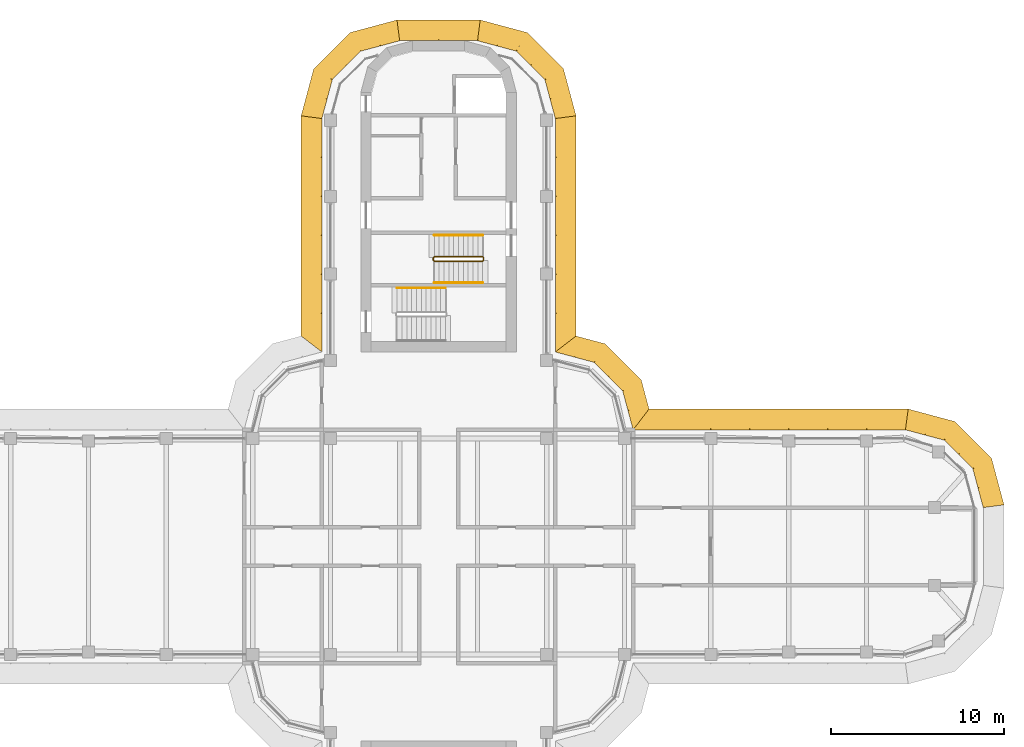
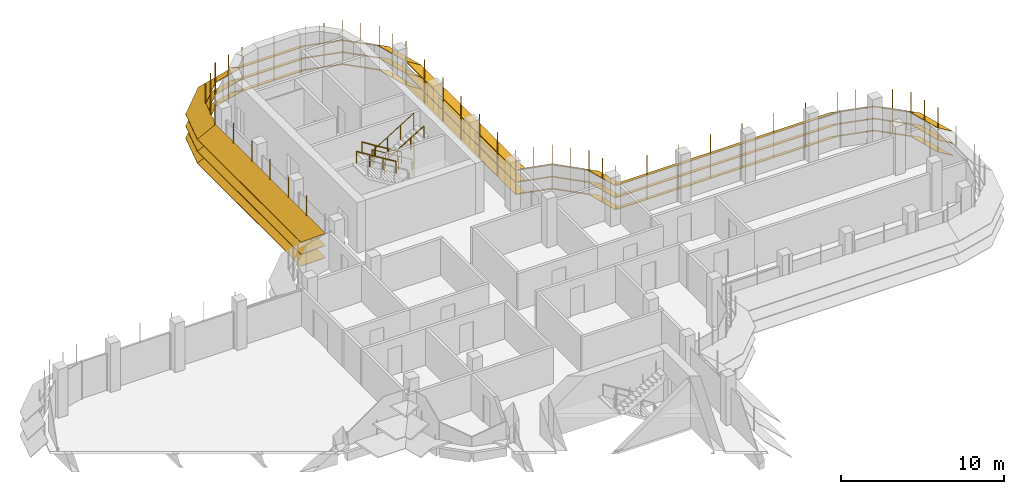
# One storey, part 18 of 19: 8 shading devices, 4 railings.
"""IFC4 building model written with IfcOpenShell, lengths in metres."""

from ifc_helpers import new_model, si_unit, direction, frame, origin, origin_2d, place, context, subcontext, project, spatial, polyline, circle, outline, extrude, faceted_brep, source, transform, mapped, material, type_object, element, save


model = new_model("IFC4")

# Units and contexts
model_context = context("Model", 3, precision=1e-05, world=origin(), true_north=direction((0.0, 1.0)))
body_context = subcontext(model_context, "Body", "Model", "MODEL_VIEW")
ifc_project = project(units=[si_unit("LENGTHUNIT", "METRE"), si_unit("AREAUNIT", "SQUARE_METRE"), si_unit("VOLUMEUNIT", "CUBIC_METRE"), si_unit("PLANEANGLEUNIT", "RADIAN"), si_unit("MASSUNIT", "GRAM", prefix="KILO")], contexts=[model_context])

# Site, building, storey
site_placement = place(None, origin())
site = spatial("IfcSite", under=ifc_project, at=site_placement, CompositionType="ELEMENT")
building_placement = place(site_placement, origin())
building = spatial("IfcBuilding", under=site, at=building_placement, Name="Zarbagh Exchange Tower", CompositionType="ELEMENT")
storey_placement = place(building_placement, frame((0.0, 0.0, 237.199951171875)))
storey = spatial("IfcBuildingStorey", under=building, at=storey_placement, Name="L58", CompositionType="ELEMENT", Elevation=237.199951171875)

# Railings
ifc_material_1 = material(Name="Stainless steel", Category="steel")
railing_type_1 = type_object("IfcRailingType", Name="Stair guard 1100 mm", PredefinedType="GUARDRAIL", material=ifc_material_1)
railing_1_placement = place(storey_placement, frame((2.550048828125, 16.75, 0.1728515625)))
element("IfcRailing", 1, at=railing_1_placement, inside=storey, type_object=railing_type_1, Name="ST1 stair guard 1", PredefinedType="GUARDRAIL", context=body_context, shape_type="SweptSolid", body=[
    extrude(circle(Radius=0.02392578125, at=origin_2d()), frame((0.0, 0.0, 1.076171875), z_axis=(-0.851089632645, 0.0, 0.525020415988), x_axis=(0.0, -1.0, 0.0)), (0.0, 0.0, 1.0), 3.2900390625),
    extrude(circle(Radius=0.02392578125, at=origin_2d()), frame((-2.800048828125, 0.0, 2.80322265625), z_axis=(-0.707106781187, -0.707106781187, 0.0), x_axis=(0.707106781187, -0.707106781187, 0.0)), (0.0, 0.0, 1.0), 0.07080078125),
    extrude(circle(Radius=0.02392578125, at=origin_2d()), frame((-2.85009765625, -0.050048828125, 2.80322265625), z_axis=(0.0, -1.0, 0.0), x_axis=(1.0, 0.0, 0.0)), (0.0, 0.0, 1.0), 0.14990234375),
    extrude(circle(Radius=0.02392578125, at=origin_2d()), frame((-2.85009765625, -0.199951171875, 2.80322265625), z_axis=(0.268277960024, -0.268277960024, 0.925231793839), x_axis=(0.707106781187, 0.707106781187, 0.0)), (0.0, 0.0, 1.0), 0.1865234375),
    extrude(circle(Radius=0.02392578125, at=origin_2d()), frame((-2.800048828125, -0.25, 2.97607421875), z_axis=(0.851089632645, 0.0, 0.525020415988), x_axis=(0.0, 1.0, 0.0)), (0.0, 0.0, 1.0), 3.2900390625),
    extrude(circle(Radius=0.02392578125, at=origin_2d()), frame((0.0, -0.25, 4.703125), z_axis=(0.013168290981, 0.013168290981, -0.999826581076), x_axis=(-0.707106781187, 0.707106781187, 0.0)), (0.0, 0.0, 1.0), 3.80078125),
    extrude(circle(Radius=0.02392578125, at=origin_2d()), frame((0.050048828125, -0.199951171875, 0.9033203125), z_axis=(0.0, 1.0, 0.0), x_axis=(-1.0, 0.0, 0.0)), (0.0, 0.0, 1.0), 0.14990234375),
    extrude(circle(Radius=0.02099609375, at=origin_2d()), origin(), (0.0, 0.0, 1.0), 1.052001953125),
    extrude(circle(Radius=0.02099609375, at=origin_2d()), frame((-0.933349609375, 0.0, 0.57568359375)), (0.0, 0.0, 1.0), 1.052001953125),
    extrude(circle(Radius=0.02099609375, at=origin_2d()), frame((-1.86669921875, 0.0, 1.151611328125)), (0.0, 0.0, 1.0), 1.052001953125),
    extrude(circle(Radius=0.02099609375, at=origin_2d()), frame((-2.800048828125, 0.0, 1.727294921875)), (0.0, 0.0, 1.0), 1.052001953125),
    extrude(circle(Radius=0.02099609375, at=origin_2d()), frame((-2.85009765625, -0.050048828125, 1.727294921875)), (0.0, 0.0, 1.0), 1.052001953125),
    extrude(circle(Radius=0.02099609375, at=origin_2d()), frame((-2.85009765625, -0.199951171875, 1.727294921875)), (0.0, 0.0, 1.0), 1.052001953125),
    extrude(circle(Radius=0.02099609375, at=origin_2d()), frame((-2.800048828125, -0.25, 1.89990234375)), (0.0, 0.0, 1.0), 1.052001953125),
    extrude(circle(Radius=0.02099609375, at=origin_2d()), frame((-1.86669921875, -0.25, 2.4755859375)), (0.0, 0.0, 1.0), 1.052001953125),
    extrude(circle(Radius=0.02099609375, at=origin_2d()), frame((-0.933349609375, -0.25, 3.051513671875)), (0.0, 0.0, 1.0), 1.052001953125),
    extrude(circle(Radius=0.02099609375, at=origin_2d()), frame((0.0, -0.25, 3.627197265625)), (0.0, 0.0, 1.0), 1.052001953125),
    extrude(circle(Radius=0.02099609375, at=origin_2d()), frame((0.012451171875, -0.237548828125, 2.67724609375)), (0.0, 0.0, 1.0), 1.052001953125),
    extrude(circle(Radius=0.02099609375, at=origin_2d()), frame((0.02490234375, -0.22509765625, 1.72705078125)), (0.0, 0.0, 1.0), 1.052001953125),
    extrude(circle(Radius=0.02099609375, at=origin_2d()), frame((0.03759765625, -0.21240234375, 0.777099609375)), (0.0, 0.0, 1.0), 1.052001953125),
    extrude(circle(Radius=0.02099609375, at=origin_2d()), frame((0.050048828125, -0.199951171875, -0.1728515625)), (0.0, 0.0, 1.0), 1.052001953125),
    extrude(circle(Radius=0.02099609375, at=origin_2d()), frame((0.050048828125, -0.050048828125, -0.1728515625)), (0.0, 0.0, 1.0), 1.052001953125),
])
railing_type_2 = type_object("IfcRailingType", Name="Stair handrail 900 mm", PredefinedType="HANDRAIL", material=ifc_material_1)
railing_2_placement = place(storey_placement, frame((2.550048828125, 18.0, 0.1728515625)))
element("IfcRailing", 2, at=railing_2_placement, inside=storey, type_object=railing_type_2, Name="ST1 stair handrail 1", PredefinedType="HANDRAIL", context=body_context, shape_type="SweptSolid", body=[
    extrude(circle(Radius=0.02392578125, at=origin_2d()), frame((0.0, 0.0, 0.8759765625), z_axis=(-0.851089632645, 0.0, 0.525020415988), x_axis=(0.0, -1.0, 0.0)), (0.0, 0.0, 1.0), 3.2900390625),
    extrude(circle(Radius=0.02099609375, at=origin_2d()), origin(), (0.0, 0.0, 1.0), 0.851806640625),
    extrude(circle(Radius=0.02099609375, at=origin_2d()), frame((-0.933349609375, 0.0, 0.57568359375)), (0.0, 0.0, 1.0), 0.851806640625),
    extrude(circle(Radius=0.02099609375, at=origin_2d()), frame((-1.86669921875, 0.0, 1.151611328125)), (0.0, 0.0, 1.0), 0.851806640625),
    extrude(circle(Radius=0.02099609375, at=origin_2d()), frame((-2.800048828125, 0.0, 1.727294921875)), (0.0, 0.0, 1.0), 0.851806640625),
])
railing_3_placement = place(storey_placement, frame((-0.25, 15.25, 2.07275390625)))
element("IfcRailing", 3, at=railing_3_placement, inside=storey, type_object=railing_type_2, Name="ST1 stair handrail 2", PredefinedType="HANDRAIL", context=body_context, shape_type="SweptSolid", body=[
    extrude(circle(Radius=0.02392578125, at=origin_2d()), frame((0.0, 0.0, 0.8759765625), z_axis=(0.851089632645, 0.0, 0.525020415988), x_axis=(0.0, 1.0, 0.0)), (0.0, 0.0, 1.0), 3.2900390625),
    extrude(circle(Radius=0.02099609375, at=origin_2d()), origin(), (0.0, 0.0, 1.0), 0.851806640625),
    extrude(circle(Radius=0.02099609375, at=origin_2d()), frame((0.933349609375, 0.0, 0.57568359375)), (0.0, 0.0, 1.0), 0.851806640625),
    extrude(circle(Radius=0.02099609375, at=origin_2d()), frame((1.86669921875, 0.0, 1.151611328125)), (0.0, 0.0, 1.0), 0.851806640625),
    extrude(circle(Radius=0.02099609375, at=origin_2d()), frame((2.800048828125, 0.0, 1.727294921875)), (0.0, 0.0, 1.0), 0.851806640625),
])
railing_4_placement = place(storey_placement, frame((0.39990234375, 14.949951171875, 2.07275390625)))
element("IfcRailing", 4, at=railing_4_placement, inside=storey, type_object=railing_type_2, Name="ST2 stair handrail 2", PredefinedType="HANDRAIL", context=body_context, shape_type="SweptSolid", body=[
    extrude(circle(Radius=0.02392578125, at=origin_2d()), frame((0.0, 0.0, 0.8759765625), z_axis=(-0.851069175582, 0.0, 0.525053576669), x_axis=(0.0, -1.0, 0.0)), (0.0, 0.0, 1.0), 3.289794921875),
    extrude(circle(Radius=0.02099609375, at=origin_2d()), origin(), (0.0, 0.0, 1.0), 0.851806640625),
    extrude(circle(Radius=0.02099609375, at=origin_2d()), frame((-0.933349609375, 0.0, 0.57568359375)), (0.0, 0.0, 1.0), 0.851806640625),
    extrude(circle(Radius=0.02099609375, at=origin_2d()), frame((-1.866455078125, 0.0, 1.151611328125)), (0.0, 0.0, 1.0), 0.851806640625),
    extrude(circle(Radius=0.02099609375, at=origin_2d()), frame((-2.7998046875, 0.0, 1.727294921875)), (0.0, 0.0, 1.0), 0.851806640625),
])

# Shading devices
ifc_material_2 = material(Name="Anodised aluminium blades and brackets", Category="aluminium")
shading_device_type = type_object("IfcShadingDeviceType", Name="SUNSHADE louvre band, 33.75 degree blades", PredefinedType="JALOUSIE", material=ifc_material_2)
shared_shape_1 = source(origin(), body_context, "Body", "Brep", [
    faceted_brep([(0.0, 0.0, 0.0), (0.0, 0.0, -0.048095703125), (-0.157958984375, -1.199951171875, -0.849853515625), (-0.157958984375, -1.199951171875, -0.8017578125), (2.65087890625, -1.199951171875, -0.8017578125), (2.65087890625, -1.199951171875, -0.849853515625), (2.329345703125, 0.0, -0.048095703125), (2.329345703125, 0.0, 0.0)], [[[0, 1, 2, 3]], [[4, 5, 6, 7]], [[0, 7, 6, 1]], [[1, 6, 5, 2]], [[2, 5, 4, 3]], [[3, 4, 7, 0]]]),
])
shared_shape_2 = source(origin(), body_context, "Body", "Brep", [
    faceted_brep([(0.0, 0.0, 0.0), (0.0, 0.0, -0.048095703125), (-0.321533203125, -1.199951171875, -0.849853515625), (-0.321533203125, -1.199951171875, -0.8017578125), (2.65087890625, -1.199951171875, -0.8017578125), (2.65087890625, -1.199951171875, -0.849853515625), (2.329345703125, 0.0, -0.048095703125), (2.329345703125, 0.0, 0.0)], [[[0, 1, 2, 3]], [[4, 5, 6, 7]], [[0, 7, 6, 1]], [[1, 6, 5, 2]], [[2, 5, 4, 3]], [[3, 4, 7, 0]]]),
])
shared_shape_3 = source(origin(), body_context, "Body", "Brep", [
    faceted_brep([(0.0, 0.0, 0.0), (0.0, 0.0, -0.048095703125), (-0.321533203125, -1.199951171875, -0.849853515625), (-0.321533203125, -1.199951171875, -0.8017578125), (2.4873046875, -1.199951171875, -0.8017578125), (2.4873046875, -1.199951171875, -0.849853515625), (2.329345703125, 0.0, -0.048095703125), (2.329345703125, 0.0, 0.0)], [[[0, 1, 2, 3]], [[4, 5, 6, 7]], [[0, 7, 6, 1]], [[1, 6, 5, 2]], [[2, 5, 4, 3]], [[3, 4, 7, 0]]]),
])
shared_shape_4 = source(origin(), body_context, "Body", "SweptSolid", [
    extrude(outline(polyline([(0.0, -0.012451171875), (0.06005859375, -0.012451171875), (0.06005859375, 0.012451171875), (0.0, 0.012451171875), (0.0, -0.012451171875)])), origin(), (0.0, 0.0, 1.0), 3.358154296875),
])
placement = place(storey_placement, origin())
element("IfcShadingDevice", 5, at=placement, inside=storey, type_object=shading_device_type, Name="SS33 sunshade band", PredefinedType="JALOUSIE", context=body_context, shape_type="MappedRepresentation", body=[
    mapped(shared_shape_1, transform((31.5, 2.25, 2.300048828125), x_axis=(-0.258824779902, 0.965924289636, 0.0), y_axis=(-0.965924289636, -0.258824779902, 0.0), z_axis=(0.0, 0.0, 1.0))),
    mapped(shared_shape_1, transform((31.5, 2.25, 1.400146484375), x_axis=(-0.258824779902, 0.965924289636, 0.0), y_axis=(-0.965924289636, -0.258824779902, 0.0), z_axis=(0.0, 0.0, 1.0))),
    mapped(shared_shape_1, transform((31.5, 2.25, 0.5), x_axis=(-0.258824779902, 0.965924289636, 0.0), y_axis=(-0.965924289636, -0.258824779902, 0.0), z_axis=(0.0, 0.0, 1.0))),
    mapped(shared_shape_2, transform((30.897216796875, 4.5, 2.300048828125), x_axis=(-0.707106781187, 0.707106781187, 0.0), y_axis=(-0.707106781187, -0.707106781187, 0.0), z_axis=(0.0, 0.0, 1.0))),
    mapped(shared_shape_2, transform((30.897216796875, 4.5, 1.400146484375), x_axis=(-0.707106781187, 0.707106781187, 0.0), y_axis=(-0.707106781187, -0.707106781187, 0.0), z_axis=(0.0, 0.0, 1.0))),
    mapped(shared_shape_2, transform((30.897216796875, 4.5, 0.5), x_axis=(-0.707106781187, 0.707106781187, 0.0), y_axis=(-0.707106781187, -0.707106781187, 0.0), z_axis=(0.0, 0.0, 1.0))),
    mapped(shared_shape_3, transform((29.25, 6.147216796875, 2.300048828125), x_axis=(-0.965924289636, 0.258824779902, 0.0), y_axis=(-0.258824779902, -0.965924289636, 0.0), z_axis=(0.0, 0.0, 1.0))),
    mapped(shared_shape_3, transform((29.25, 6.147216796875, 1.400146484375), x_axis=(-0.965924289636, 0.258824779902, 0.0), y_axis=(-0.258824779902, -0.965924289636, 0.0), z_axis=(0.0, 0.0, 1.0))),
    mapped(shared_shape_3, transform((29.25, 6.147216796875, 0.5), x_axis=(-0.965924289636, 0.258824779902, 0.0), y_axis=(-0.258824779902, -0.965924289636, 0.0), z_axis=(0.0, 0.0, 1.0))),
    mapped(shared_shape_4, transform((31.5, 2.25, 0.421875), x_axis=(0.991444457092, 0.130529263012, 0.0), y_axis=(-0.130529263012, 0.991444457092, 0.0), z_axis=(0.0, 0.0, 1.0))),
    mapped(shared_shape_4, transform((31.198486328125, 3.375, 0.421875), x_axis=(0.96592421511, 0.258825058029, 0.0), y_axis=(-0.258825058029, 0.96592421511, 0.0), z_axis=(0.0, 0.0, 1.0))),
    mapped(shared_shape_4, transform((30.897216796875, 4.5, 0.421875), x_axis=(0.866023812018, 0.50000275701, 0.0), y_axis=(-0.50000275701, 0.866023812018, 0.0), z_axis=(0.0, 0.0, 1.0))),
    mapped(shared_shape_4, transform((30.073486328125, 5.323486328125, 0.421875), x_axis=(0.707106781187, 0.707106781187, 0.0), y_axis=(-0.707106781187, 0.707106781187, 0.0), z_axis=(0.0, 0.0, 1.0))),
    mapped(shared_shape_4, transform((29.25, 6.147216796875, 0.421875), x_axis=(0.50000275701, 0.866023812018, 0.0), y_axis=(-0.866023812018, 0.50000275701, 0.0), z_axis=(0.0, 0.0, 1.0))),
    mapped(shared_shape_4, transform((28.125, 6.448486328125, 0.421875), x_axis=(0.258825058029, 0.96592421511, 0.0), y_axis=(-0.96592421511, 0.258825058029, 0.0), z_axis=(0.0, 0.0, 1.0))),
])
element("IfcShadingDevice", 6, at=placement, inside=storey, type_object=shading_device_type, Name="SS46 sunshade band", PredefinedType="JALOUSIE", context=body_context, shape_type="MappedRepresentation", body=[
    mapped(shared_shape_1, transform((6.75, 24.75, 2.300048828125), x_axis=(-0.258824779902, 0.965924289636, 0.0), y_axis=(-0.965924289636, -0.258824779902, 0.0), z_axis=(0.0, 0.0, 1.0))),
    mapped(shared_shape_1, transform((6.75, 24.75, 1.400146484375), x_axis=(-0.258824779902, 0.965924289636, 0.0), y_axis=(-0.965924289636, -0.258824779902, 0.0), z_axis=(0.0, 0.0, 1.0))),
    mapped(shared_shape_1, transform((6.75, 24.75, 0.5), x_axis=(-0.258824779902, 0.965924289636, 0.0), y_axis=(-0.965924289636, -0.258824779902, 0.0), z_axis=(0.0, 0.0, 1.0))),
    mapped(shared_shape_2, transform((6.147216796875, 27.0, 2.300048828125), x_axis=(-0.707106781187, 0.707106781187, 0.0), y_axis=(-0.707106781187, -0.707106781187, 0.0), z_axis=(0.0, 0.0, 1.0))),
    mapped(shared_shape_2, transform((6.147216796875, 27.0, 1.400146484375), x_axis=(-0.707106781187, 0.707106781187, 0.0), y_axis=(-0.707106781187, -0.707106781187, 0.0), z_axis=(0.0, 0.0, 1.0))),
    mapped(shared_shape_2, transform((6.147216796875, 27.0, 0.5), x_axis=(-0.707106781187, 0.707106781187, 0.0), y_axis=(-0.707106781187, -0.707106781187, 0.0), z_axis=(0.0, 0.0, 1.0))),
    mapped(shared_shape_3, transform((4.5, 28.647216796875, 2.300048828125), x_axis=(-0.965924289636, 0.258824779902, 0.0), y_axis=(-0.258824779902, -0.965924289636, 0.0), z_axis=(0.0, 0.0, 1.0))),
    mapped(shared_shape_3, transform((4.5, 28.647216796875, 1.400146484375), x_axis=(-0.965924289636, 0.258824779902, 0.0), y_axis=(-0.258824779902, -0.965924289636, 0.0), z_axis=(0.0, 0.0, 1.0))),
    mapped(shared_shape_3, transform((4.5, 28.647216796875, 0.5), x_axis=(-0.965924289636, 0.258824779902, 0.0), y_axis=(-0.258824779902, -0.965924289636, 0.0), z_axis=(0.0, 0.0, 1.0))),
    mapped(shared_shape_4, transform((6.75, 24.75, 0.421875), x_axis=(0.991444457092, 0.130529263012, 0.0), y_axis=(-0.130529263012, 0.991444457092, 0.0), z_axis=(0.0, 0.0, 1.0))),
    mapped(shared_shape_4, transform((6.448486328125, 25.875, 0.421875), x_axis=(0.96592421511, 0.258825058029, 0.0), y_axis=(-0.258825058029, 0.96592421511, 0.0), z_axis=(0.0, 0.0, 1.0))),
    mapped(shared_shape_4, transform((6.147216796875, 27.0, 0.421875), x_axis=(0.866023812018, 0.50000275701, 0.0), y_axis=(-0.50000275701, 0.866023812018, 0.0), z_axis=(0.0, 0.0, 1.0))),
    mapped(shared_shape_4, transform((5.323486328125, 27.823486328125, 0.421875), x_axis=(0.707106781187, 0.707106781187, 0.0), y_axis=(-0.707106781187, 0.707106781187, 0.0), z_axis=(0.0, 0.0, 1.0))),
    mapped(shared_shape_4, transform((4.5, 28.647216796875, 0.421875), x_axis=(0.50000275701, 0.866023812018, 0.0), y_axis=(-0.866023812018, 0.50000275701, 0.0), z_axis=(0.0, 0.0, 1.0))),
    mapped(shared_shape_4, transform((3.375, 28.948486328125, 0.421875), x_axis=(0.258825058029, 0.96592421511, 0.0), y_axis=(-0.96592421511, 0.258825058029, 0.0), z_axis=(0.0, 0.0, 1.0))),
])
element("IfcShadingDevice", 7, at=placement, inside=storey, type_object=shading_device_type, Name="SS48 sunshade band", PredefinedType="JALOUSIE", context=body_context, shape_type="MappedRepresentation", body=[
    mapped(shared_shape_1, transform((-2.25, 29.25, 2.300048828125), x_axis=(-0.965924289636, -0.258824779902, 0.0), y_axis=(0.258824779902, -0.965924289636, 0.0), z_axis=(0.0, 0.0, 1.0))),
    mapped(shared_shape_1, transform((-2.25, 29.25, 1.400146484375), x_axis=(-0.965924289636, -0.258824779902, 0.0), y_axis=(0.258824779902, -0.965924289636, 0.0), z_axis=(0.0, 0.0, 1.0))),
    mapped(shared_shape_1, transform((-2.25, 29.25, 0.5), x_axis=(-0.965924289636, -0.258824779902, 0.0), y_axis=(0.258824779902, -0.965924289636, 0.0), z_axis=(0.0, 0.0, 1.0))),
    mapped(shared_shape_2, transform((-4.5, 28.647216796875, 2.300048828125), x_axis=(-0.707106781187, -0.707106781187, 0.0), y_axis=(0.707106781187, -0.707106781187, 0.0), z_axis=(0.0, 0.0, 1.0))),
    mapped(shared_shape_2, transform((-4.5, 28.647216796875, 1.400146484375), x_axis=(-0.707106781187, -0.707106781187, 0.0), y_axis=(0.707106781187, -0.707106781187, 0.0), z_axis=(0.0, 0.0, 1.0))),
    mapped(shared_shape_2, transform((-4.5, 28.647216796875, 0.5), x_axis=(-0.707106781187, -0.707106781187, 0.0), y_axis=(0.707106781187, -0.707106781187, 0.0), z_axis=(0.0, 0.0, 1.0))),
    mapped(shared_shape_3, transform((-6.147216796875, 27.0, 2.300048828125), x_axis=(-0.258824779902, -0.965924289636, 0.0), y_axis=(0.965924289636, -0.258824779902, 0.0), z_axis=(0.0, 0.0, 1.0))),
    mapped(shared_shape_3, transform((-6.147216796875, 27.0, 1.400146484375), x_axis=(-0.258824779902, -0.965924289636, 0.0), y_axis=(0.965924289636, -0.258824779902, 0.0), z_axis=(0.0, 0.0, 1.0))),
    mapped(shared_shape_3, transform((-6.147216796875, 27.0, 0.5), x_axis=(-0.258824779902, -0.965924289636, 0.0), y_axis=(0.965924289636, -0.258824779902, 0.0), z_axis=(0.0, 0.0, 1.0))),
    mapped(shared_shape_4, transform((-2.25, 29.25, 0.421875), x_axis=(-0.130529263012, 0.991444457092, 0.0), y_axis=(-0.991444457092, -0.130529263012, 0.0), z_axis=(0.0, 0.0, 1.0))),
    mapped(shared_shape_4, transform((-3.375, 28.948486328125, 0.421875), x_axis=(-0.258825058029, 0.96592421511, 0.0), y_axis=(-0.96592421511, -0.258825058029, 0.0), z_axis=(0.0, 0.0, 1.0))),
    mapped(shared_shape_4, transform((-4.5, 28.647216796875, 0.421875), x_axis=(-0.50000275701, 0.866023812018, 0.0), y_axis=(-0.866023812018, -0.50000275701, 0.0), z_axis=(0.0, 0.0, 1.0))),
    mapped(shared_shape_4, transform((-5.323486328125, 27.823486328125, 0.421875), x_axis=(-0.707106781187, 0.707106781187, 0.0), y_axis=(-0.707106781187, -0.707106781187, 0.0), z_axis=(0.0, 0.0, 1.0))),
    mapped(shared_shape_4, transform((-6.147216796875, 27.0, 0.421875), x_axis=(-0.866023812018, 0.50000275701, 0.0), y_axis=(-0.50000275701, -0.866023812018, 0.0), z_axis=(0.0, 0.0, 1.0))),
    mapped(shared_shape_4, transform((-6.448486328125, 25.875, 0.421875), x_axis=(-0.96592421511, 0.258825058029, 0.0), y_axis=(-0.258825058029, -0.96592421511, 0.0), z_axis=(0.0, 0.0, 1.0))),
])
shared_shape_5 = source(origin(), body_context, "Body", "Brep", [
    faceted_brep([(0.0, 0.0, 0.0), (0.0, 0.0, -0.048095703125), (0.9208984375, -1.199951171875, -0.849853515625), (0.9208984375, -1.199951171875, -0.8017578125), (2.65087890625, -1.199951171875, -0.8017578125), (2.65087890625, -1.199951171875, -0.849853515625), (2.329345703125, 0.0, -0.048095703125), (2.329345703125, 0.0, 0.0)], [[[0, 1, 2, 3]], [[4, 5, 6, 7]], [[0, 7, 6, 1]], [[1, 6, 5, 2]], [[2, 5, 4, 3]], [[3, 4, 7, 0]]]),
])
shared_shape_6 = source(origin(), body_context, "Body", "Brep", [
    faceted_brep([(0.0, 0.0, 0.0), (0.0, 0.0, -0.048095703125), (-0.321533203125, -1.199951171875, -0.849853515625), (-0.321533203125, -1.199951171875, -0.8017578125), (1.40869140625, -1.199951171875, -0.8017578125), (1.40869140625, -1.199951171875, -0.849853515625), (2.329345703125, 0.0, -0.048095703125), (2.329345703125, 0.0, 0.0)], [[[0, 1, 2, 3]], [[4, 5, 6, 7]], [[0, 7, 6, 1]], [[1, 6, 5, 2]], [[2, 5, 4, 3]], [[3, 4, 7, 0]]]),
])
element("IfcShadingDevice", 8, at=placement, inside=storey, type_object=shading_device_type, Name="SS09 sunshade band", PredefinedType="JALOUSIE", context=body_context, shape_type="MappedRepresentation", body=[
    mapped(shared_shape_5, transform((11.25, 6.75, 2.300048828125), x_axis=(-0.258824779902, 0.965924289636, 0.0), y_axis=(-0.965924289636, -0.258824779902, 0.0), z_axis=(0.0, 0.0, 1.0))),
    mapped(shared_shape_5, transform((11.25, 6.75, 1.400146484375), x_axis=(-0.258824779902, 0.965924289636, 0.0), y_axis=(-0.965924289636, -0.258824779902, 0.0), z_axis=(0.0, 0.0, 1.0))),
    mapped(shared_shape_5, transform((11.25, 6.75, 0.5), x_axis=(-0.258824779902, 0.965924289636, 0.0), y_axis=(-0.965924289636, -0.258824779902, 0.0), z_axis=(0.0, 0.0, 1.0))),
    mapped(shared_shape_2, transform((10.647216796875, 9.0, 2.300048828125), x_axis=(-0.707106781187, 0.707106781187, 0.0), y_axis=(-0.707106781187, -0.707106781187, 0.0), z_axis=(0.0, 0.0, 1.0))),
    mapped(shared_shape_2, transform((10.647216796875, 9.0, 1.400146484375), x_axis=(-0.707106781187, 0.707106781187, 0.0), y_axis=(-0.707106781187, -0.707106781187, 0.0), z_axis=(0.0, 0.0, 1.0))),
    mapped(shared_shape_2, transform((10.647216796875, 9.0, 0.5), x_axis=(-0.707106781187, 0.707106781187, 0.0), y_axis=(-0.707106781187, -0.707106781187, 0.0), z_axis=(0.0, 0.0, 1.0))),
    mapped(shared_shape_6, transform((9.0, 10.647216796875, 2.300048828125), x_axis=(-0.965924289636, 0.258824779902, 0.0), y_axis=(-0.258824779902, -0.965924289636, 0.0), z_axis=(0.0, 0.0, 1.0))),
    mapped(shared_shape_6, transform((9.0, 10.647216796875, 1.400146484375), x_axis=(-0.965924289636, 0.258824779902, 0.0), y_axis=(-0.258824779902, -0.965924289636, 0.0), z_axis=(0.0, 0.0, 1.0))),
    mapped(shared_shape_6, transform((9.0, 10.647216796875, 0.5), x_axis=(-0.965924289636, 0.258824779902, 0.0), y_axis=(-0.258824779902, -0.965924289636, 0.0), z_axis=(0.0, 0.0, 1.0))),
    mapped(shared_shape_4, transform((11.25, 6.75, 0.421875), x_axis=(0.608758892, 0.793355287, 0.0), y_axis=(-0.793355287, 0.608758892, 0.0), z_axis=(0.0, 0.0, 1.0))),
    mapped(shared_shape_4, transform((10.948486328125, 7.875, 0.421875), x_axis=(0.96592421511, 0.258825058029, 0.0), y_axis=(-0.258825058029, 0.96592421511, 0.0), z_axis=(0.0, 0.0, 1.0))),
    mapped(shared_shape_4, transform((10.647216796875, 9.0, 0.421875), x_axis=(0.866023812018, 0.50000275701, 0.0), y_axis=(-0.50000275701, 0.866023812018, 0.0), z_axis=(0.0, 0.0, 1.0))),
    mapped(shared_shape_4, transform((9.823486328125, 9.823486328125, 0.421875), x_axis=(0.707106781187, 0.707106781187, 0.0), y_axis=(-0.707106781187, 0.707106781187, 0.0), z_axis=(0.0, 0.0, 1.0))),
    mapped(shared_shape_4, transform((9.0, 10.647216796875, 0.421875), x_axis=(0.50000275701, 0.866023812018, 0.0), y_axis=(-0.866023812018, 0.50000275701, 0.0), z_axis=(0.0, 0.0, 1.0))),
    mapped(shared_shape_4, transform((7.875, 10.948486328125, 0.421875), x_axis=(0.258825058029, 0.96592421511, 0.0), y_axis=(-0.96592421511, 0.258825058029, 0.0), z_axis=(0.0, 0.0, 1.0))),
])
shared_shape_7 = source(origin(), body_context, "Body", "Brep", [
    faceted_brep([(0.0, 0.0, 0.0), (0.0, 0.0, -0.048095703125), (-0.157958984375, -1.199951171875, -0.849853515625), (-0.157958984375, -1.199951171875, -0.8017578125), (14.8291015625, -1.199951171875, -0.8017578125), (14.8291015625, -1.199951171875, -0.849853515625), (15.75, 0.0, -0.048095703125), (15.75, 0.0, 0.0)], [[[0, 1, 2, 3]], [[4, 5, 6, 7]], [[0, 7, 6, 1]], [[1, 6, 5, 2]], [[2, 5, 4, 3]], [[3, 4, 7, 0]]]),
])
element("IfcShadingDevice", 9, at=placement, inside=storey, type_object=shading_device_type, Name="SS34 sunshade band", PredefinedType="JALOUSIE", context=body_context, shape_type="MappedRepresentation", body=[
    mapped(shared_shape_7, transform((27.0, 6.75, 2.300048828125), x_axis=(-1.0, 0.0, 0.0), y_axis=(0.0, -1.0, 0.0), z_axis=(0.0, 0.0, 1.0))),
    mapped(shared_shape_7, transform((27.0, 6.75, 1.400146484375), x_axis=(-1.0, 0.0, 0.0), y_axis=(0.0, -1.0, 0.0), z_axis=(0.0, 0.0, 1.0))),
    mapped(shared_shape_7, transform((27.0, 6.75, 0.5), x_axis=(-1.0, 0.0, 0.0), y_axis=(0.0, -1.0, 0.0), z_axis=(0.0, 0.0, 1.0))),
    mapped(shared_shape_4, transform((27.0, 6.75, 0.421875), x_axis=(0.130529263012, 0.991444457092, 0.0), y_axis=(-0.991444457092, 0.130529263012, 0.0), z_axis=(0.0, 0.0, 1.0))),
    mapped(shared_shape_4, transform((24.75, 6.75, 0.421875), x_axis=(0.0, 1.0, 0.0), y_axis=(-1.0, 0.0, 0.0), z_axis=(0.0, 0.0, 1.0))),
    mapped(shared_shape_4, transform((22.5, 6.75, 0.421875), x_axis=(0.0, 1.0, 0.0), y_axis=(-1.0, 0.0, 0.0), z_axis=(0.0, 0.0, 1.0))),
    mapped(shared_shape_4, transform((20.25, 6.75, 0.421875), x_axis=(0.0, 1.0, 0.0), y_axis=(-1.0, 0.0, 0.0), z_axis=(0.0, 0.0, 1.0))),
    mapped(shared_shape_4, transform((18.0, 6.75, 0.421875), x_axis=(0.0, 1.0, 0.0), y_axis=(-1.0, 0.0, 0.0), z_axis=(0.0, 0.0, 1.0))),
    mapped(shared_shape_4, transform((15.75, 6.75, 0.421875), x_axis=(0.0, 1.0, 0.0), y_axis=(-1.0, 0.0, 0.0), z_axis=(0.0, 0.0, 1.0))),
    mapped(shared_shape_4, transform((13.5, 6.75, 0.421875), x_axis=(0.0, 1.0, 0.0), y_axis=(-1.0, 0.0, 0.0), z_axis=(0.0, 0.0, 1.0))),
])
shared_shape_8 = source(origin(), body_context, "Body", "Brep", [
    faceted_brep([(0.0, 0.0, 0.0), (0.0, 0.0, -0.048095703125), (0.9208984375, -1.199951171875, -0.849853515625), (0.9208984375, -1.199951171875, -0.8017578125), (13.657958984375, -1.199951171875, -0.8017578125), (13.657958984375, -1.199951171875, -0.849853515625), (13.5, 0.0, -0.048095703125), (13.5, 0.0, 0.0)], [[[0, 1, 2, 3]], [[4, 5, 6, 7]], [[0, 7, 6, 1]], [[1, 6, 5, 2]], [[2, 5, 4, 3]], [[3, 4, 7, 0]]]),
])
element("IfcShadingDevice", 10, at=placement, inside=storey, type_object=shading_device_type, Name="SS45 sunshade band", PredefinedType="JALOUSIE", context=body_context, shape_type="MappedRepresentation", body=[
    mapped(shared_shape_8, transform((6.75, 11.25, 2.300048828125), x_axis=(0.0, 1.0, 0.0), y_axis=(-1.0, 0.0, 0.0), z_axis=(0.0, 0.0, 1.0))),
    mapped(shared_shape_8, transform((6.75, 11.25, 1.400146484375), x_axis=(0.0, 1.0, 0.0), y_axis=(-1.0, 0.0, 0.0), z_axis=(0.0, 0.0, 1.0))),
    mapped(shared_shape_8, transform((6.75, 11.25, 0.5), x_axis=(0.0, 1.0, 0.0), y_axis=(-1.0, 0.0, 0.0), z_axis=(0.0, 0.0, 1.0))),
    mapped(shared_shape_4, transform((6.75, 11.25, 0.421875), x_axis=(0.793355287, 0.608758892, 0.0), y_axis=(-0.608758892, 0.793355287, 0.0), z_axis=(0.0, 0.0, 1.0))),
    mapped(shared_shape_4, transform((6.75, 13.5, 0.421875), x_axis=(1.0, 0.0, 0.0), y_axis=(0.0, 1.0, 0.0), z_axis=(0.0, 0.0, 1.0))),
    mapped(shared_shape_4, transform((6.75, 15.75, 0.421875), x_axis=(1.0, 0.0, 0.0), y_axis=(0.0, 1.0, 0.0), z_axis=(0.0, 0.0, 1.0))),
    mapped(shared_shape_4, transform((6.75, 18.0, 0.421875), x_axis=(1.0, 0.0, 0.0), y_axis=(0.0, 1.0, 0.0), z_axis=(0.0, 0.0, 1.0))),
    mapped(shared_shape_4, transform((6.75, 20.25, 0.421875), x_axis=(1.0, 0.0, 0.0), y_axis=(0.0, 1.0, 0.0), z_axis=(0.0, 0.0, 1.0))),
    mapped(shared_shape_4, transform((6.75, 22.5, 0.421875), x_axis=(1.0, 0.0, 0.0), y_axis=(0.0, 1.0, 0.0), z_axis=(0.0, 0.0, 1.0))),
])
shared_shape_9 = source(origin(), body_context, "Body", "Brep", [
    faceted_brep([(0.0, 0.0, 0.0), (0.0, 0.0, -0.048095703125), (-0.157958984375, -1.199951171875, -0.849853515625), (-0.157958984375, -1.199951171875, -0.8017578125), (4.657958984375, -1.199951171875, -0.8017578125), (4.657958984375, -1.199951171875, -0.849853515625), (4.5, 0.0, -0.048095703125), (4.5, 0.0, 0.0)], [[[0, 1, 2, 3]], [[4, 5, 6, 7]], [[0, 7, 6, 1]], [[1, 6, 5, 2]], [[2, 5, 4, 3]], [[3, 4, 7, 0]]]),
])
element("IfcShadingDevice", 11, at=placement, inside=storey, type_object=shading_device_type, Name="SS47 sunshade band", PredefinedType="JALOUSIE", context=body_context, shape_type="MappedRepresentation", body=[
    mapped(shared_shape_9, transform((2.25, 29.25, 2.300048828125), x_axis=(-1.0, 0.0, 0.0), y_axis=(0.0, -1.0, 0.0), z_axis=(0.0, 0.0, 1.0))),
    mapped(shared_shape_9, transform((2.25, 29.25, 1.400146484375), x_axis=(-1.0, 0.0, 0.0), y_axis=(0.0, -1.0, 0.0), z_axis=(0.0, 0.0, 1.0))),
    mapped(shared_shape_9, transform((2.25, 29.25, 0.5), x_axis=(-1.0, 0.0, 0.0), y_axis=(0.0, -1.0, 0.0), z_axis=(0.0, 0.0, 1.0))),
    mapped(shared_shape_4, transform((2.25, 29.25, 0.421875), x_axis=(0.130529263012, 0.991444457092, 0.0), y_axis=(-0.991444457092, 0.130529263012, 0.0), z_axis=(0.0, 0.0, 1.0))),
    mapped(shared_shape_4, transform((0.0, 29.25, 0.421875), x_axis=(0.0, 1.0, 0.0), y_axis=(-1.0, 0.0, 0.0), z_axis=(0.0, 0.0, 1.0))),
])
shared_shape_10 = source(origin(), body_context, "Body", "Brep", [
    faceted_brep([(0.0, 0.0, 0.0), (0.0, 0.0, -0.048095703125), (-0.157958984375, -1.199951171875, -0.849853515625), (-0.157958984375, -1.199951171875, -0.8017578125), (12.5791015625, -1.199951171875, -0.8017578125), (12.5791015625, -1.199951171875, -0.849853515625), (13.5, 0.0, -0.048095703125), (13.5, 0.0, 0.0)], [[[0, 1, 2, 3]], [[4, 5, 6, 7]], [[0, 7, 6, 1]], [[1, 6, 5, 2]], [[2, 5, 4, 3]], [[3, 4, 7, 0]]]),
])
element("IfcShadingDevice", 12, at=placement, inside=storey, type_object=shading_device_type, Name="SS49 sunshade band", PredefinedType="JALOUSIE", context=body_context, shape_type="MappedRepresentation", body=[
    mapped(shared_shape_10, transform((-6.75, 24.75, 2.300048828125), x_axis=(0.0, -1.0, 0.0), y_axis=(1.0, 0.0, 0.0), z_axis=(0.0, 0.0, 1.0))),
    mapped(shared_shape_10, transform((-6.75, 24.75, 1.400146484375), x_axis=(0.0, -1.0, 0.0), y_axis=(1.0, 0.0, 0.0), z_axis=(0.0, 0.0, 1.0))),
    mapped(shared_shape_10, transform((-6.75, 24.75, 0.5), x_axis=(0.0, -1.0, 0.0), y_axis=(1.0, 0.0, 0.0), z_axis=(0.0, 0.0, 1.0))),
    mapped(shared_shape_4, transform((-6.75, 24.75, 0.421875), x_axis=(-0.991444457092, 0.130529263012, 0.0), y_axis=(-0.130529263012, -0.991444457092, 0.0), z_axis=(0.0, 0.0, 1.0))),
    mapped(shared_shape_4, transform((-6.75, 22.5, 0.421875), x_axis=(-1.0, 0.0, 0.0), y_axis=(0.0, -1.0, 0.0), z_axis=(0.0, 0.0, 1.0))),
    mapped(shared_shape_4, transform((-6.75, 20.25, 0.421875), x_axis=(-1.0, 0.0, 0.0), y_axis=(0.0, -1.0, 0.0), z_axis=(0.0, 0.0, 1.0))),
    mapped(shared_shape_4, transform((-6.75, 18.0, 0.421875), x_axis=(-1.0, 0.0, 0.0), y_axis=(0.0, -1.0, 0.0), z_axis=(0.0, 0.0, 1.0))),
    mapped(shared_shape_4, transform((-6.75, 15.75, 0.421875), x_axis=(-1.0, 0.0, 0.0), y_axis=(0.0, -1.0, 0.0), z_axis=(0.0, 0.0, 1.0))),
    mapped(shared_shape_4, transform((-6.75, 13.5, 0.421875), x_axis=(-1.0, 0.0, 0.0), y_axis=(0.0, -1.0, 0.0), z_axis=(0.0, 0.0, 1.0))),
])

save(model, "model.ifc")
